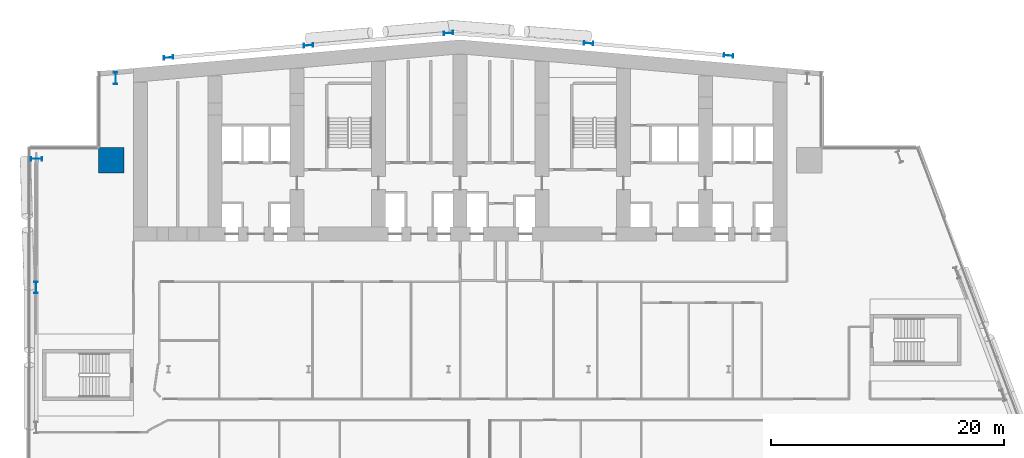
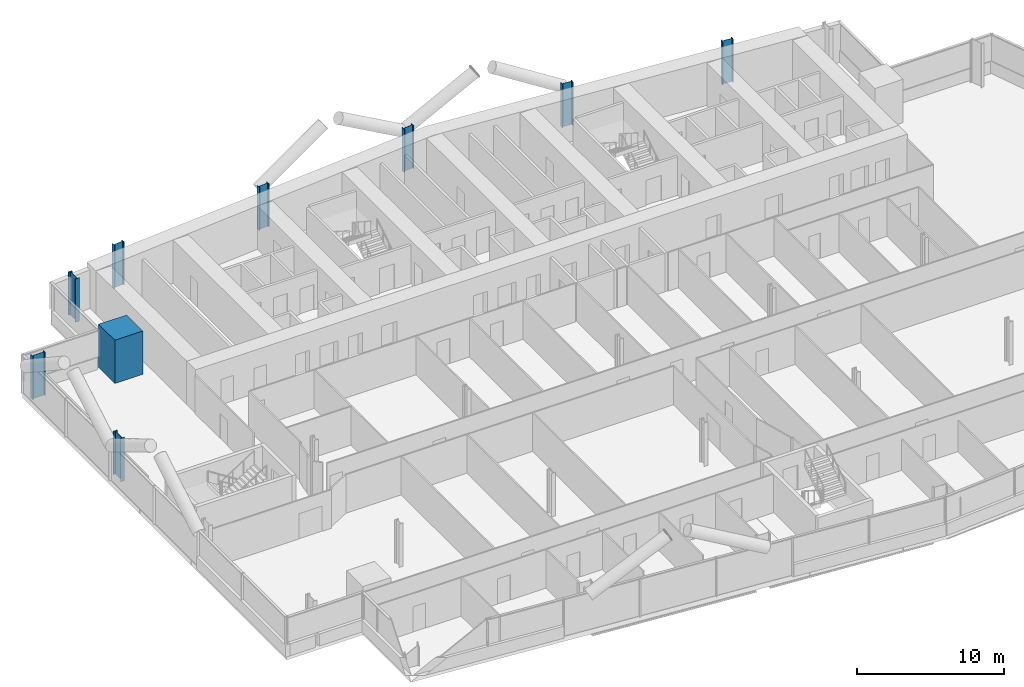
# One storey, part 2 of 28: 9 columns.
"""IFC4 building model written with IfcOpenShell, lengths in metres."""

from ifc_helpers import new_model, si_unit, direction, frame, origin, origin_2d, place, context, subcontext, project, spatial, rectangle, i_section, extrude, material, material_profile, profile_set, type_object, element, save


model = new_model("IFC4")

# Units and contexts
model_context = context("Model", 3, precision=1e-05, world=origin(), true_north=direction((0.0, 1.0)))
body_context = subcontext(model_context, "Body", "Model", "MODEL_VIEW")
ifc_project = project(units=[si_unit("LENGTHUNIT", "METRE"), si_unit("AREAUNIT", "SQUARE_METRE"), si_unit("VOLUMEUNIT", "CUBIC_METRE"), si_unit("PLANEANGLEUNIT", "RADIAN"), si_unit("MASSUNIT", "GRAM", prefix="KILO")], contexts=[model_context])

# Site, building, storey
site_placement = place(None, origin())
site = spatial("IfcSite", under=ifc_project, at=site_placement, CompositionType="ELEMENT")
building_placement = place(site_placement, origin())
building = spatial("IfcBuilding", under=site, at=building_placement, Name="Wharfspan Tower", CompositionType="ELEMENT")
storey_placement = place(building_placement, frame((0.0, 0.0, 52.300049)))
storey = spatial("IfcBuildingStorey", under=building, at=storey_placement, Name="L09", CompositionType="ELEMENT", Elevation=52.300049)

# Columns
ifc_material_1 = material(Name="Steel S355J2", Category="steel")
ifc_material_profile_1 = material_profile(ifc_material_1, i_section(OverallWidth=0.302002, OverallDepth=1.008057, WebThickness=0.020996, FlangeThickness=0.040039, FilletRadius=0.030029, at=origin_2d()))
ifc_profile_set_1 = profile_set([ifc_material_profile_1], Name="Steel S355J2")
column_type_1 = type_object("IfcColumnType", Name="Column HEM 1000", PredefinedType="COLUMN", material=ifc_profile_set_1)
for number, where, z_axis, x_axis, name in (
    (1, (7.466553, 47.933594, 0.0), (0.0, 0.0, 1.0), (-1.0, 0.0, 0.0), "Perimeter column PNRW-V.1 L09"),
    (2, (0.684814, 41.03418, 0.0), (0.0, 0.0, 1.0), (0.0, 1.0, 0.0), "Perimeter column PNRW-H.1 L09"),
    (3, (0.659912, 30.0, 0.0), (0.0, 0.0, 1.0), (-1.0, 0.0, 0.0), "Perimeter column PW.1 L09"),
):
    element("IfcColumn", number, at=place(storey_placement, frame(where, z_axis=z_axis, x_axis=x_axis)), inside=storey, type_object=column_type_1, Name=name, PredefinedType="COLUMN", context=body_context, shape_type="SweptSolid", body=[
        extrude(i_section(OverallWidth=0.302002, OverallDepth=1.008057, WebThickness=0.020996, FlangeThickness=0.040039, FilletRadius=0.030029, at=origin_2d()), origin(), (0.0, 0.0, 1.0), 3.599854),
    ])
ifc_material_profile_2 = material_profile(ifc_material_1, i_section(OverallWidth=0.302979, OverallDepth=0.813965, WebThickness=0.020996, FlangeThickness=0.040039, FilletRadius=0.030029, at=origin_2d()))
ifc_profile_set_2 = profile_set([ifc_material_profile_2], Name="Steel S355J2")
column_type_2 = type_object("IfcColumnType", Name="Column HEM 800", PredefinedType="COLUMN", material=ifc_profile_set_2)
for number, where, z_axis, x_axis, name in (
    (4, (12.0, 49.709961, 0.0), (0.0, 0.0, 1.0), (-0.087156, 0.996197, 0.0), "Rear column R.1 L09"),
    (5, (24.0, 50.759766, 0.0), (0.0, 0.0, 1.0), (-0.087156, 0.996197, 0.0), "Rear column R.2 L09"),
    (6, (36.0, 51.80957, 0.0), (0.0, 0.0, 1.0), (-0.087156, 0.996197, 0.0), "Rear column R.3 L09"),
    (7, (48.0, 50.934814, 0.0), (0.0, 0.0, 1.0), (0.087156, 0.996197, 0.0), "Rear column R.4 L09"),
    (8, (60.0, 49.884766, 0.0), (0.0, 0.0, 1.0), (0.087156, 0.996197, 0.0), "Rear column R.5 L09"),
):
    element("IfcColumn", number, at=place(storey_placement, frame(where, z_axis=z_axis, x_axis=x_axis)), inside=storey, type_object=column_type_2, Name=name, PredefinedType="COLUMN", context=body_context, shape_type="SweptSolid", body=[
        extrude(i_section(OverallWidth=0.302979, OverallDepth=0.813965, WebThickness=0.020996, FlangeThickness=0.040039, FilletRadius=0.030029, at=origin_2d()), origin(), (0.0, 0.0, 1.0), 3.599854),
    ])
ifc_material_2 = material(Name="Concrete C70/85", Category="concrete")
ifc_material_profile_3 = material_profile(ifc_material_2, rectangle(XDim=2.199951, YDim=2.199951, at=origin_2d()))
ifc_profile_set_3 = profile_set([ifc_material_profile_3], Name="Concrete C70/85")
column_type_3 = type_object("IfcColumnType", Name="Mega column 2200 C70/85", PredefinedType="COLUMN", material=ifc_profile_set_3)
column_placement = place(storey_placement, frame((7.100098, 40.899902, 0.0), z_axis=(0.0, 0.0, 1.0), x_axis=(1.0, 0.0, 0.0)))
element("IfcColumn", 9, at=column_placement, inside=storey, type_object=column_type_3, Name="Mega column MC2 L09", PredefinedType="COLUMN", context=body_context, shape_type="SweptSolid", body=[
    extrude(rectangle(XDim=2.199951, YDim=2.199951, at=origin_2d()), origin(), (0.0, 0.0, 1.0), 3.599854),
])

save(model, "model.ifc")
